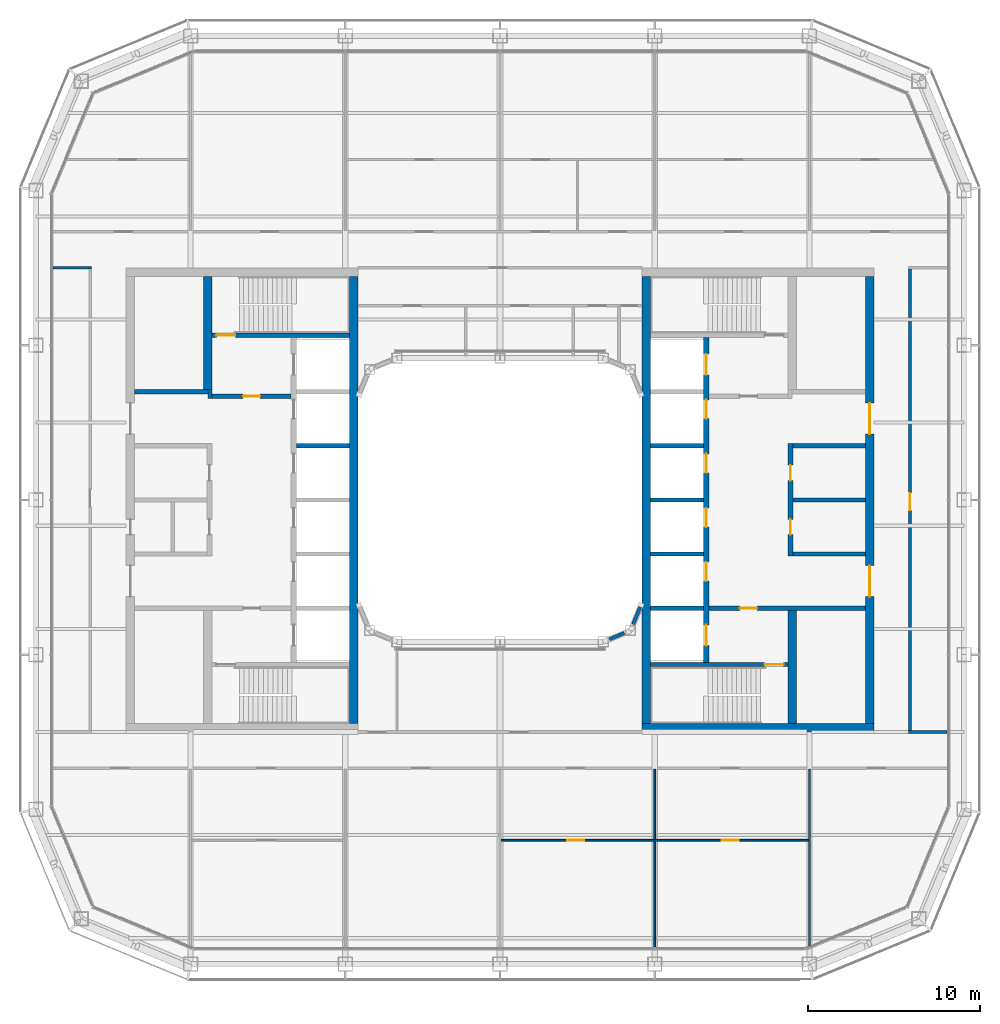
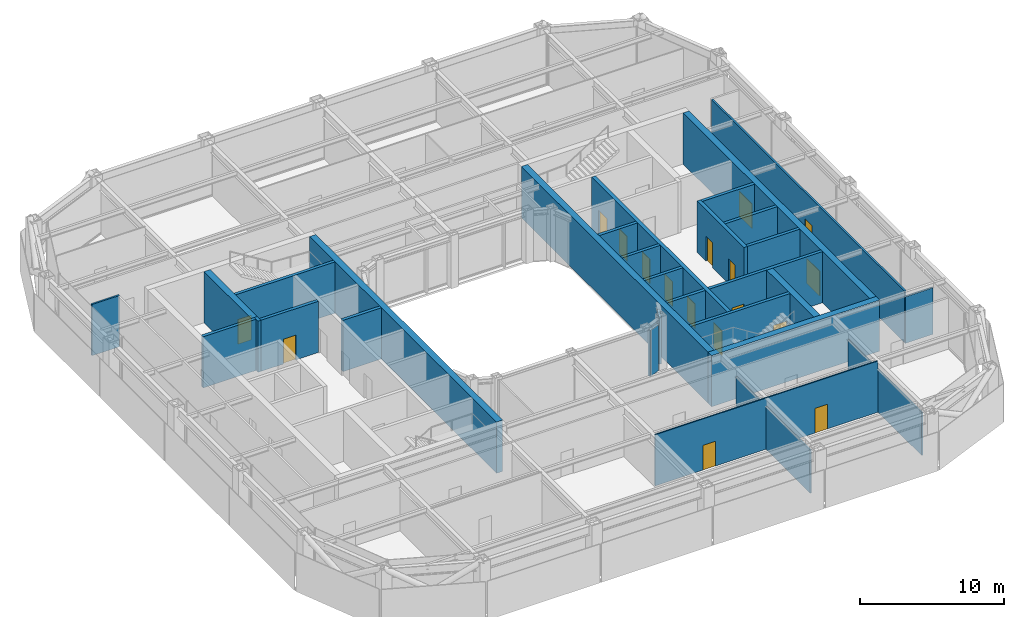
# One storey, part 13 of 19: 31 walls, 17 doors, 17 openings.
"""IFC4 building model written with IfcOpenShell, lengths in metres."""

from ifc_helpers import new_model, si_unit, direction, frame, frame_2d, origin, place, context, subcontext, project, spatial, rectangle, extrude, material, layer, layer_set, type_object, element, fill, save


model = new_model("IFC4")

# Units and contexts
model_context = context("Model", 3, precision=1e-05, world=origin(), true_north=direction((0.0, 1.0)))
body_context = subcontext(model_context, "Body", "Model", "MODEL_VIEW")
ifc_project = project(units=[si_unit("LENGTHUNIT", "METRE"), si_unit("AREAUNIT", "SQUARE_METRE"), si_unit("VOLUMEUNIT", "CUBIC_METRE"), si_unit("PLANEANGLEUNIT", "RADIAN"), si_unit("MASSUNIT", "GRAM", prefix="KILO")], contexts=[model_context])

# Site, building, storey
site_placement = place(None, origin())
site = spatial("IfcSite", under=ifc_project, at=site_placement, CompositionType="ELEMENT")
building_placement = place(site_placement, origin())
building = spatial("IfcBuilding", under=site, at=building_placement, Name="Siwar Civic Tower", CompositionType="ELEMENT")
storey_placement = place(building_placement, frame((0.0, 0.0, 192.699951171875)))
storey = spatial("IfcBuildingStorey", under=building, at=storey_placement, Name="L41", CompositionType="ELEMENT", Elevation=192.699951171875)

# Wall, opening, door
ifc_material_1 = material(Name="Concrete C60/75", Category="concrete")
ifc_layer_1 = layer(ifc_material_1, 0.25)
ifc_layer_set_1 = layer_set([ifc_layer_1], Name="Concrete C60/75")
wall_type_1 = type_object("IfcWallType", Name="CORE-WALL-RC250", PredefinedType="SHEAR", material=ifc_layer_set_1)
wall_1_placement = place(storey_placement, frame((-12.14990234375, 6.02490234375, 0.0), z_axis=(0.0, 0.0, 1.0), x_axis=(-1.0, 0.0, 0.0)))
wall_1 = element("IfcWall", 1, at=wall_1_placement, inside=storey, type_object=wall_type_1, Name="Core wall W", PredefinedType="SHEAR", context=body_context, shape_type="SweptSolid", body=[
    extrude(rectangle(XDim=4.60009765625, YDim=0.25, at=frame_2d((2.300048828125, 0.0))), origin(), (0.0, 0.0, 1.0), 4.35009765625),
])
opening_1_placement = place(wall_1_placement, frame((1.800048828125, 0.0, 0.0)))
opening_1 = element("IfcOpeningElement", 2, at=opening_1_placement, cuts=wall_1, Name="Opening L41-CW01", PredefinedType="OPENING", context=body_context, shape_type="SweptSolid", body=[
    extrude(rectangle(XDim=1.0, YDim=2.10009765625, at=frame_2d((0.5, 1.050048828125))), frame((0.0, 0.135009765625, 0.0), z_axis=(0.0, -1.0, 0.0), x_axis=(1.0, 0.0, 0.0)), (0.0, 0.0, 1.0), 0.27001953125),
])
ifc_material_2 = material(Name="Steel door leaf", Category="steel")
door_type_1 = type_object("IfcDoorType", Name="CORE-DOOR-FD30S", OperationType="SINGLE_SWING_LEFT", PredefinedType="DOOR", material=ifc_material_2)
door_1_placement = place(opening_1_placement, origin())
door_1 = element("IfcDoor", 3, at=door_1_placement, inside=storey, type_object=door_type_1, Name="Firefighting lobby door L41-CW01", OperationType="SINGLE_SWING_LEFT", OverallHeight=2.10009765625, OverallWidth=1.0, PredefinedType="DOOR", context=body_context, shape_type="SweptSolid", body=[
    extrude(rectangle(XDim=1.0, YDim=2.10009765625, at=frame_2d((0.5, 1.050048828125))), frame((0.0, 0.02490234375, 0.0), z_axis=(0.0, -1.0, 0.0), x_axis=(1.0, 0.0, 0.0)), (0.0, 0.0, 1.0), 0.050048828125),
])
fill(opening_1, door_1)

# Walls
wall_2_placement = place(storey_placement, frame((-16.875, 5.89990234375, 0.0), z_axis=(0.0, 0.0, 1.0), x_axis=(0.0, 1.0, 0.0)))
element("IfcWall", 4, at=wall_2_placement, inside=storey, type_object=wall_type_1, Name="Core wall W", PredefinedType="SHEAR", context=body_context, shape_type="SweptSolid", body=[
    extrude(rectangle(XDim=0.525146484375, YDim=0.25, at=frame_2d((0.2626953125, 0.0))), origin(), (0.0, 0.0, 1.0), 4.35009765625),
])
wall_3_placement = place(storey_placement, frame((-17.0, 6.300048828125, 0.0), z_axis=(0.0, 0.0, 1.0), x_axis=(-1.0, 0.0, 0.0)))
element("IfcWall", 5, at=wall_3_placement, inside=storey, type_object=wall_type_1, Name="Core wall W", PredefinedType="SHEAR", context=body_context, shape_type="SweptSolid", body=[
    extrude(rectangle(XDim=4.25, YDim=0.25, at=frame_2d((2.125, 0.0))), origin(), (0.0, 0.0, 1.0), 4.35009765625),
])
wall_4_placement = place(storey_placement, frame((-8.75, 3.14990234375, 0.0), z_axis=(0.0, 0.0, 1.0), x_axis=(-1.0, 0.0, 0.0)))
element("IfcWall", 6, at=wall_4_placement, inside=storey, type_object=wall_type_1, Name="Core wall W", PredefinedType="SHEAR", context=body_context, shape_type="SweptSolid", body=[
    extrude(rectangle(XDim=3.10009765625, YDim=0.25, at=frame_2d((1.550048828125, 0.0))), origin(), (0.0, 0.0, 1.0), 4.35009765625),
])

# Wall, opening, door
wall_5_placement = place(storey_placement, frame((-8.75, 9.574951171875, 0.0), z_axis=(0.0, 0.0, 1.0), x_axis=(-1.0, 0.0, 0.0)))
wall_5 = element("IfcWall", 7, at=wall_5_placement, inside=storey, type_object=wall_type_1, Name="Core wall W", PredefinedType="SHEAR", context=body_context, shape_type="SweptSolid", body=[
    extrude(rectangle(XDim=8.0, YDim=0.25, at=frame_2d((4.0, 0.0))), origin(), (0.0, 0.0, 1.0), 4.35009765625),
])
opening_2_placement = place(wall_5_placement, frame((6.64990234375, 0.0, 0.0)))
opening_2 = element("IfcOpeningElement", 8, at=opening_2_placement, cuts=wall_5, Name="Opening L41-CW03", PredefinedType="OPENING", context=body_context, shape_type="SweptSolid", body=[
    extrude(rectangle(XDim=1.10009765625, YDim=2.10009765625, at=frame_2d((0.550048828125, 1.050048828125))), frame((0.0, 0.135009765625, 0.0), z_axis=(0.0, -1.0, 0.0), x_axis=(1.0, 0.0, 0.0)), (0.0, 0.0, 1.0), 0.27001953125),
])
ifc_material_3 = material(Name="Steel door leaf", Category="steel")
door_type_2 = type_object("IfcDoorType", Name="CORE-DOOR-FD60S", OperationType="SINGLE_SWING_LEFT", PredefinedType="DOOR", material=ifc_material_3)
door_2_placement = place(opening_2_placement, origin())
door_2 = element("IfcDoor", 9, at=door_2_placement, inside=storey, type_object=door_type_2, Name="Stair door L41-CW03", OperationType="SINGLE_SWING_RIGHT", OverallHeight=2.10009765625, OverallWidth=1.10009765625, PredefinedType="DOOR", context=body_context, shape_type="SweptSolid", body=[
    extrude(rectangle(XDim=1.10009765625, YDim=2.10009765625, at=frame_2d((0.550048828125, 1.050048828125))), frame((0.0, 0.02490234375, 0.0), z_axis=(0.0, -1.0, 0.0), x_axis=(1.0, 0.0, 0.0)), (0.0, 0.0, 1.0), 0.050048828125),
])
fill(opening_2, door_2)

wall_6_placement = place(storey_placement, frame((12.14990234375, -6.300048828125, 0.0), z_axis=(0.0, 0.0, 1.0), x_axis=(1.0, 0.0, 0.0)))
wall_6 = element("IfcWall", 10, at=wall_6_placement, inside=storey, type_object=wall_type_1, Name="Core wall E", PredefinedType="SHEAR", context=body_context, shape_type="SweptSolid", body=[
    extrude(rectangle(XDim=9.10009765625, YDim=0.25, at=frame_2d((4.550048828125, 0.0))), origin(), (0.0, 0.0, 1.0), 4.35009765625),
])
opening_3_placement = place(wall_6_placement, frame((1.800048828125, 0.0, 0.0)))
opening_3 = element("IfcOpeningElement", 11, at=opening_3_placement, cuts=wall_6, Name="Opening L41-CE02", PredefinedType="OPENING", context=body_context, shape_type="SweptSolid", body=[
    extrude(rectangle(XDim=1.0, YDim=2.10009765625, at=frame_2d((0.5, 1.050048828125))), frame((0.0, 0.135009765625, 0.0), z_axis=(0.0, -1.0, 0.0), x_axis=(1.0, 0.0, 0.0)), (0.0, 0.0, 1.0), 0.27001953125),
])
door_3_placement = place(opening_3_placement, origin())
door_3 = element("IfcDoor", 12, at=door_3_placement, inside=storey, type_object=door_type_1, Name="Service lobby door L41-CE02", OperationType="SINGLE_SWING_LEFT", OverallHeight=2.10009765625, OverallWidth=1.0, PredefinedType="DOOR", context=body_context, shape_type="SweptSolid", body=[
    extrude(rectangle(XDim=1.0, YDim=2.10009765625, at=frame_2d((0.5, 1.050048828125))), frame((0.0, 0.02490234375, 0.0), z_axis=(0.0, -1.0, 0.0), x_axis=(1.0, 0.0, 0.0)), (0.0, 0.0, 1.0), 0.050048828125),
])
fill(opening_3, door_3)

# Walls
for number, where, z_axis, x_axis, name in (
    (13, (17.050048828125, 0.0, 0.0), (0.0, 0.0, 1.0), (1.0, 0.0, 0.0), "Core wall E"),
    (14, (17.050048828125, 3.14990234375, 0.0), (0.0, 0.0, 1.0), (1.0, 0.0, 0.0), "Core wall E"),
    (15, (17.050048828125, -3.14990234375, 0.0), (0.0, 0.0, 1.0), (1.0, 0.0, 0.0), "Core wall E"),
):
    element("IfcWall", number, at=place(storey_placement, frame(where, z_axis=z_axis, x_axis=x_axis)), inside=storey, type_object=wall_type_1, Name=name, PredefinedType="SHEAR", context=body_context, shape_type="SweptSolid", body=[
        extrude(rectangle(XDim=4.199951171875, YDim=0.25, at=frame_2d((2.10009765625, 0.0))), origin(), (0.0, 0.0, 1.0), 4.35009765625),
    ])
for number, where, z_axis, x_axis, name in (
    (16, (8.75, 0.0, 0.0), (0.0, 0.0, 1.0), (1.0, 0.0, 0.0), "Core wall E"),
    (17, (8.75, 3.14990234375, 0.0), (0.0, 0.0, 1.0), (1.0, 0.0, 0.0), "Core wall E"),
    (18, (8.75, -3.14990234375, 0.0), (0.0, 0.0, 1.0), (1.0, 0.0, 0.0), "Core wall E"),
    (19, (8.75, -6.300048828125, 0.0), (0.0, 0.0, 1.0), (1.0, 0.0, 0.0), "Core wall E"),
):
    element("IfcWall", number, at=place(storey_placement, frame(where, z_axis=z_axis, x_axis=x_axis)), inside=storey, type_object=wall_type_1, Name=name, PredefinedType="SHEAR", context=body_context, shape_type="SweptSolid", body=[
        extrude(rectangle(XDim=3.10009765625, YDim=0.25, at=frame_2d((1.550048828125, 0.0))), origin(), (0.0, 0.0, 1.0), 4.35009765625),
    ])

# Wall, opening, door
wall_7_placement = place(storey_placement, frame((8.75, -9.574951171875, 0.0), z_axis=(0.0, 0.0, 1.0), x_axis=(1.0, 0.0, 0.0)))
wall_7 = element("IfcWall", 20, at=wall_7_placement, inside=storey, type_object=wall_type_1, Name="Core wall E", PredefinedType="SHEAR", context=body_context, shape_type="SweptSolid", body=[
    extrude(rectangle(XDim=8.0, YDim=0.25, at=frame_2d((4.0, 0.0))), origin(), (0.0, 0.0, 1.0), 4.35009765625),
])
opening_4_placement = place(wall_7_placement, frame((6.64990234375, 0.0, 0.0)))
opening_4 = element("IfcOpeningElement", 21, at=opening_4_placement, cuts=wall_7, Name="Opening L41-CE04", PredefinedType="OPENING", context=body_context, shape_type="SweptSolid", body=[
    extrude(rectangle(XDim=1.10009765625, YDim=2.10009765625, at=frame_2d((0.550048828125, 1.050048828125))), frame((0.0, 0.135009765625, 0.0), z_axis=(0.0, -1.0, 0.0), x_axis=(1.0, 0.0, 0.0)), (0.0, 0.0, 1.0), 0.27001953125),
])
door_4_placement = place(opening_4_placement, origin())
door_4 = element("IfcDoor", 22, at=door_4_placement, inside=storey, type_object=door_type_2, Name="Stair door L41-CE04", OperationType="SINGLE_SWING_RIGHT", OverallHeight=2.10009765625, OverallWidth=1.10009765625, PredefinedType="DOOR", context=body_context, shape_type="SweptSolid", body=[
    extrude(rectangle(XDim=1.10009765625, YDim=2.10009765625, at=frame_2d((0.550048828125, 1.050048828125))), frame((0.0, 0.02490234375, 0.0), z_axis=(0.0, -1.0, 0.0), x_axis=(1.0, 0.0, 0.0)), (0.0, 0.0, 1.0), 0.050048828125),
])
fill(opening_4, door_4)

# Wall, openings, doors
ifc_material_4 = material(Name="Concrete C60/75", Category="concrete")
ifc_layer_2 = layer(ifc_material_4, 0.300048828125)
ifc_layer_set_2 = layer_set([ifc_layer_2], Name="Concrete C60/75")
wall_type_2 = type_object("IfcWallType", Name="CORE-WALL-RC300", PredefinedType="SHEAR", material=ifc_layer_set_2)
wall_8_placement = place(storey_placement, frame((12.0, -9.449951171875, 0.0), z_axis=(0.0, 0.0, 1.0), x_axis=(0.0, 1.0, 0.0)))
wall_8 = element("IfcWall", 23, at=wall_8_placement, inside=storey, type_object=wall_type_2, Name="Core wall E", PredefinedType="SHEAR", context=body_context, shape_type="SweptSolid", body=[
    extrude(rectangle(XDim=18.89990234375, YDim=0.300048828125, at=frame_2d((9.449951171875, 0.0))), origin(), (0.0, 0.0, 1.0), 4.35009765625),
])
opening_5_placement = place(wall_8_placement, frame((4.72509765625, 0.0, 0.0)))
opening_5 = element("IfcOpeningElement", 24, at=opening_5_placement, cuts=wall_8, Name="Opening L41-CE07", PredefinedType="OPENING", context=body_context, shape_type="SweptSolid", body=[
    extrude(rectangle(XDim=1.10009765625, YDim=2.10009765625, at=frame_2d((0.550048828125, 1.050048828125))), frame((0.0, 0.16015625, 0.0), z_axis=(0.0, -1.0, 0.0), x_axis=(1.0, 0.0, 0.0)), (0.0, 0.0, 1.0), 0.320068359375),
])
opening_6_placement = place(wall_8_placement, frame((7.875, 0.0, 0.0)))
opening_6 = element("IfcOpeningElement", 25, at=opening_6_placement, cuts=wall_8, Name="Opening L41-CE08", PredefinedType="OPENING", context=body_context, shape_type="SweptSolid", body=[
    extrude(rectangle(XDim=1.10009765625, YDim=2.10009765625, at=frame_2d((0.550048828125, 1.050048828125))), frame((0.0, 0.16015625, 0.0), z_axis=(0.0, -1.0, 0.0), x_axis=(1.0, 0.0, 0.0)), (0.0, 0.0, 1.0), 0.320068359375),
])
opening_7_placement = place(wall_8_placement, frame((11.02490234375, 0.0, 0.0)))
opening_7 = element("IfcOpeningElement", 26, at=opening_7_placement, cuts=wall_8, Name="Opening L41-CE09", PredefinedType="OPENING", context=body_context, shape_type="SweptSolid", body=[
    extrude(rectangle(XDim=1.10009765625, YDim=2.10009765625, at=frame_2d((0.550048828125, 1.050048828125))), frame((0.0, 0.16015625, 0.0), z_axis=(0.0, -1.0, 0.0), x_axis=(1.0, 0.0, 0.0)), (0.0, 0.0, 1.0), 0.320068359375),
])
opening_8_placement = place(wall_8_placement, frame((14.175048828125, 0.0, 0.0)))
opening_8 = element("IfcOpeningElement", 27, at=opening_8_placement, cuts=wall_8, Name="Opening L41-CE10", PredefinedType="OPENING", context=body_context, shape_type="SweptSolid", body=[
    extrude(rectangle(XDim=1.10009765625, YDim=2.10009765625, at=frame_2d((0.550048828125, 1.050048828125))), frame((0.0, 0.16015625, 0.0), z_axis=(0.0, -1.0, 0.0), x_axis=(1.0, 0.0, 0.0)), (0.0, 0.0, 1.0), 0.320068359375),
])
opening_9_placement = place(wall_8_placement, frame((16.72509765625, 0.0, 0.0)))
opening_9 = element("IfcOpeningElement", 28, at=opening_9_placement, cuts=wall_8, Name="Opening L41-CE11", PredefinedType="OPENING", context=body_context, shape_type="SweptSolid", body=[
    extrude(rectangle(XDim=1.199951171875, YDim=2.10009765625, at=frame_2d((0.60009765625, 1.050048828125))), frame((0.0, 0.16015625, 0.0), z_axis=(0.0, -1.0, 0.0), x_axis=(1.0, 0.0, 0.0)), (0.0, 0.0, 1.0), 0.320068359375),
])
opening_10_placement = place(wall_8_placement, frame((0.97509765625, 0.0, 0.0)))
opening_10 = element("IfcOpeningElement", 29, at=opening_10_placement, cuts=wall_8, Name="Opening L41-CE12", PredefinedType="OPENING", context=body_context, shape_type="SweptSolid", body=[
    extrude(rectangle(XDim=1.199951171875, YDim=2.10009765625, at=frame_2d((0.60009765625, 1.050048828125))), frame((0.0, 0.16015625, 0.0), z_axis=(0.0, -1.0, 0.0), x_axis=(1.0, 0.0, 0.0)), (0.0, 0.0, 1.0), 0.320068359375),
])
ifc_material_5 = material(Name="Steel door leaf", Category="steel")
door_type_3 = type_object("IfcDoorType", Name="CORE-DOOR-LD", OperationType="DOUBLE_DOOR_SLIDING", PredefinedType="DOOR", material=ifc_material_5)
door_5_placement = place(opening_5_placement, origin())
door_5 = element("IfcDoor", 30, at=door_5_placement, inside=storey, type_object=door_type_3, Name="Landing door HR5 L41-CE07", OperationType="DOUBLE_DOOR_SLIDING", OverallHeight=2.10009765625, OverallWidth=1.10009765625, PredefinedType="DOOR", context=body_context, shape_type="SweptSolid", body=[
    extrude(rectangle(XDim=1.10009765625, YDim=2.10009765625, at=frame_2d((0.550048828125, 1.050048828125))), frame((0.0, 0.02490234375, 0.0), z_axis=(0.0, -1.0, 0.0), x_axis=(1.0, 0.0, 0.0)), (0.0, 0.0, 1.0), 0.050048828125),
])
fill(opening_5, door_5)
door_6_placement = place(opening_6_placement, origin())
door_6 = element("IfcDoor", 31, at=door_6_placement, inside=storey, type_object=door_type_3, Name="Landing door HR6 L41-CE08", OperationType="DOUBLE_DOOR_SLIDING", OverallHeight=2.10009765625, OverallWidth=1.10009765625, PredefinedType="DOOR", context=body_context, shape_type="SweptSolid", body=[
    extrude(rectangle(XDim=1.10009765625, YDim=2.10009765625, at=frame_2d((0.550048828125, 1.050048828125))), frame((0.0, 0.02490234375, 0.0), z_axis=(0.0, -1.0, 0.0), x_axis=(1.0, 0.0, 0.0)), (0.0, 0.0, 1.0), 0.050048828125),
])
fill(opening_6, door_6)
door_7_placement = place(opening_7_placement, origin())
door_7 = element("IfcDoor", 32, at=door_7_placement, inside=storey, type_object=door_type_3, Name="Landing door HR7 L41-CE09", OperationType="DOUBLE_DOOR_SLIDING", OverallHeight=2.10009765625, OverallWidth=1.10009765625, PredefinedType="DOOR", context=body_context, shape_type="SweptSolid", body=[
    extrude(rectangle(XDim=1.10009765625, YDim=2.10009765625, at=frame_2d((0.550048828125, 1.050048828125))), frame((0.0, 0.02490234375, 0.0), z_axis=(0.0, -1.0, 0.0), x_axis=(1.0, 0.0, 0.0)), (0.0, 0.0, 1.0), 0.050048828125),
])
fill(opening_7, door_7)
door_8_placement = place(opening_8_placement, origin())
door_8 = element("IfcDoor", 33, at=door_8_placement, inside=storey, type_object=door_type_3, Name="Landing door HR8 L41-CE10", OperationType="DOUBLE_DOOR_SLIDING", OverallHeight=2.10009765625, OverallWidth=1.10009765625, PredefinedType="DOOR", context=body_context, shape_type="SweptSolid", body=[
    extrude(rectangle(XDim=1.10009765625, YDim=2.10009765625, at=frame_2d((0.550048828125, 1.050048828125))), frame((0.0, 0.02490234375, 0.0), z_axis=(0.0, -1.0, 0.0), x_axis=(1.0, 0.0, 0.0)), (0.0, 0.0, 1.0), 0.050048828125),
])
fill(opening_8, door_8)
ifc_material_6 = material(Name="Steel door leaf", Category="steel")
door_type_4 = type_object("IfcDoorType", Name="CORE-DOOR-LDW", OperationType="DOUBLE_DOOR_SLIDING", PredefinedType="DOOR", material=ifc_material_6)
door_9_placement = place(opening_9_placement, origin())
door_9 = element("IfcDoor", 34, at=door_9_placement, inside=storey, type_object=door_type_4, Name="Landing door FF2 L41-CE11", OperationType="DOUBLE_DOOR_SLIDING", OverallHeight=2.10009765625, OverallWidth=1.199951171875, PredefinedType="DOOR", context=body_context, shape_type="SweptSolid", body=[
    extrude(rectangle(XDim=1.199951171875, YDim=2.10009765625, at=frame_2d((0.60009765625, 1.050048828125))), frame((0.0, 0.02490234375, 0.0), z_axis=(0.0, -1.0, 0.0), x_axis=(1.0, 0.0, 0.0)), (0.0, 0.0, 1.0), 0.050048828125),
])
fill(opening_9, door_9)
door_10_placement = place(opening_10_placement, origin())
door_10 = element("IfcDoor", 35, at=door_10_placement, inside=storey, type_object=door_type_4, Name="Landing door SV2 L41-CE12", OperationType="DOUBLE_DOOR_SLIDING", OverallHeight=2.10009765625, OverallWidth=1.199951171875, PredefinedType="DOOR", context=body_context, shape_type="SweptSolid", body=[
    extrude(rectangle(XDim=1.199951171875, YDim=2.10009765625, at=frame_2d((0.60009765625, 1.050048828125))), frame((0.0, 0.02490234375, 0.0), z_axis=(0.0, -1.0, 0.0), x_axis=(1.0, 0.0, 0.0)), (0.0, 0.0, 1.0), 0.050048828125),
])
fill(opening_10, door_10)

wall_9_placement = place(storey_placement, frame((16.89990234375, -3.27490234375, 0.0), z_axis=(0.0, 0.0, 1.0), x_axis=(0.0, 1.0, 0.0)))
wall_9 = element("IfcWall", 36, at=wall_9_placement, inside=storey, type_object=wall_type_2, Name="Core wall E", PredefinedType="SHEAR", context=body_context, shape_type="SweptSolid", body=[
    extrude(rectangle(XDim=6.5498046875, YDim=0.300048828125, at=frame_2d((3.27490234375, 0.0))), origin(), (0.0, 0.0, 1.0), 4.35009765625),
])
opening_11_placement = place(wall_9_placement, frame((1.25, 0.0, 0.0)))
opening_11 = element("IfcOpeningElement", 37, at=opening_11_placement, cuts=wall_9, Name="Opening L41-CE13", PredefinedType="OPENING", context=body_context, shape_type="SweptSolid", body=[
    extrude(rectangle(XDim=0.89990234375, YDim=2.10009765625, at=frame_2d((0.449951171875, 1.050048828125))), frame((0.0, 0.16015625, 0.0), z_axis=(0.0, -1.0, 0.0), x_axis=(1.0, 0.0, 0.0)), (0.0, 0.0, 1.0), 0.320068359375),
])
opening_12_placement = place(wall_9_placement, frame((4.39990234375, 0.0, 0.0)))
opening_12 = element("IfcOpeningElement", 38, at=opening_12_placement, cuts=wall_9, Name="Opening L41-CE14", PredefinedType="OPENING", context=body_context, shape_type="SweptSolid", body=[
    extrude(rectangle(XDim=0.89990234375, YDim=2.10009765625, at=frame_2d((0.449951171875, 1.050048828125))), frame((0.0, 0.16015625, 0.0), z_axis=(0.0, -1.0, 0.0), x_axis=(1.0, 0.0, 0.0)), (0.0, 0.0, 1.0), 0.320068359375),
])
ifc_material_7 = material(Name="Steel door leaf", Category="steel")
door_type_5 = type_object("IfcDoorType", Name="CORE-DOOR-ROOM", OperationType="SINGLE_SWING_LEFT", PredefinedType="DOOR", material=ifc_material_7)
door_11_placement = place(opening_11_placement, origin())
door_11 = element("IfcDoor", 39, at=door_11_placement, inside=storey, type_object=door_type_5, Name="Core room door L41-CE13", OperationType="SINGLE_SWING_RIGHT", OverallHeight=2.10009765625, OverallWidth=0.89990234375, PredefinedType="DOOR", context=body_context, shape_type="SweptSolid", body=[
    extrude(rectangle(XDim=0.89990234375, YDim=2.10009765625, at=frame_2d((0.449951171875, 1.050048828125))), frame((0.0, 0.02490234375, 0.0), z_axis=(0.0, -1.0, 0.0), x_axis=(1.0, 0.0, 0.0)), (0.0, 0.0, 1.0), 0.050048828125),
])
fill(opening_11, door_11)
door_12_placement = place(opening_12_placement, origin())
door_12 = element("IfcDoor", 40, at=door_12_placement, inside=storey, type_object=door_type_5, Name="Core room door L41-CE14", OperationType="SINGLE_SWING_LEFT", OverallHeight=2.10009765625, OverallWidth=0.89990234375, PredefinedType="DOOR", context=body_context, shape_type="SweptSolid", body=[
    extrude(rectangle(XDim=0.89990234375, YDim=2.10009765625, at=frame_2d((0.449951171875, 1.050048828125))), frame((0.0, 0.02490234375, 0.0), z_axis=(0.0, -1.0, 0.0), x_axis=(1.0, 0.0, 0.0)), (0.0, 0.0, 1.0), 0.050048828125),
])
fill(opening_12, door_12)

# Wall
ifc_material_8 = material(Name="Concrete C60/75", Category="concrete")
ifc_layer_3 = layer(ifc_material_8, 0.5)
ifc_layer_set_3 = layer_set([ifc_layer_3], Name="Concrete C60/75")
wall_type_3 = type_object("IfcWallType", Name="CORE-WALL-RC500", PredefinedType="SHEAR", material=ifc_layer_set_3)
wall_10_placement = place(storey_placement, frame((-17.0, 6.425048828125, 0.0), z_axis=(0.0, 0.0, 1.0), x_axis=(0.0, 1.0, 0.0)))
element("IfcWall", 41, at=wall_10_placement, inside=storey, type_object=wall_type_3, Name="Core wall W", PredefinedType="SHEAR", context=body_context, shape_type="SweptSolid", body=[
    extrude(rectangle(XDim=6.574951171875, YDim=0.5, at=frame_2d((3.28759765625, 0.0))), origin(), (0.0, 0.0, 1.0), 4.35009765625),
])

# Wall, openings, doors
wall_11_placement = place(storey_placement, frame((21.5, -13.0, 0.0), z_axis=(0.0, 0.0, 1.0), x_axis=(0.0, 1.0, 0.0)))
wall_11 = element("IfcWall", 42, at=wall_11_placement, inside=storey, type_object=wall_type_3, Name="Core wall E", PredefinedType="SHEAR", context=body_context, shape_type="SweptSolid", body=[
    extrude(rectangle(XDim=26.0, YDim=0.5, at=frame_2d((13.0, 0.0))), origin(), (0.0, 0.0, 1.0), 4.35009765625),
])
opening_13_placement = place(wall_11_placement, frame((16.824951171875, 0.0, 0.0)))
opening_13 = element("IfcOpeningElement", 43, at=opening_13_placement, cuts=wall_11, Name="Opening L41-CE05", PredefinedType="OPENING", context=body_context, shape_type="SweptSolid", body=[
    extrude(rectangle(XDim=1.800048828125, YDim=2.10009765625, at=frame_2d((0.89990234375, 1.050048828125))), frame((0.0, 0.260009765625, 0.0), z_axis=(0.0, -1.0, 0.0), x_axis=(1.0, 0.0, 0.0)), (0.0, 0.0, 1.0), 0.52001953125),
])
opening_14_placement = place(wall_11_placement, frame((7.375, 0.0, 0.0)))
opening_14 = element("IfcOpeningElement", 44, at=opening_14_placement, cuts=wall_11, Name="Opening L41-CE06", PredefinedType="OPENING", context=body_context, shape_type="SweptSolid", body=[
    extrude(rectangle(XDim=1.800048828125, YDim=2.10009765625, at=frame_2d((0.89990234375, 1.050048828125))), frame((0.0, 0.260009765625, 0.0), z_axis=(0.0, -1.0, 0.0), x_axis=(1.0, 0.0, 0.0)), (0.0, 0.0, 1.0), 0.52001953125),
])
ifc_material_9 = material(Name="Steel door leaf", Category="steel")
door_type_6 = type_object("IfcDoorType", Name="CORE-DOOR-PORT", OperationType="DOUBLE_DOOR_DOUBLE_SWING", PredefinedType="DOOR", material=ifc_material_9)
door_13_placement = place(opening_13_placement, origin())
door_13 = element("IfcDoor", 45, at=door_13_placement, inside=storey, type_object=door_type_6, Name="Core entrance door L41-CE05", OperationType="DOUBLE_DOOR_DOUBLE_SWING", OverallHeight=2.10009765625, OverallWidth=1.800048828125, PredefinedType="DOOR", context=body_context, shape_type="SweptSolid", body=[
    extrude(rectangle(XDim=1.800048828125, YDim=2.10009765625, at=frame_2d((0.89990234375, 1.050048828125))), frame((0.0, 0.02490234375, 0.0), z_axis=(0.0, -1.0, 0.0), x_axis=(1.0, 0.0, 0.0)), (0.0, 0.0, 1.0), 0.050048828125),
])
fill(opening_13, door_13)
door_14_placement = place(opening_14_placement, origin())
door_14 = element("IfcDoor", 46, at=door_14_placement, inside=storey, type_object=door_type_6, Name="Core entrance door L41-CE06", OperationType="DOUBLE_DOOR_DOUBLE_SWING", OverallHeight=2.10009765625, OverallWidth=1.800048828125, PredefinedType="DOOR", context=body_context, shape_type="SweptSolid", body=[
    extrude(rectangle(XDim=1.800048828125, YDim=2.10009765625, at=frame_2d((0.89990234375, 1.050048828125))), frame((0.0, 0.02490234375, 0.0), z_axis=(0.0, -1.0, 0.0), x_axis=(1.0, 0.0, 0.0)), (0.0, 0.0, 1.0), 0.050048828125),
])
fill(opening_14, door_14)

# Walls
wall_12_placement = place(storey_placement, frame((17.0, -13.0, 0.0), z_axis=(0.0, 0.0, 1.0), x_axis=(0.0, 1.0, 0.0)))
element("IfcWall", 47, at=wall_12_placement, inside=storey, type_object=wall_type_3, Name="Core wall E", PredefinedType="SHEAR", context=body_context, shape_type="SweptSolid", body=[
    extrude(rectangle(XDim=6.574951171875, YDim=0.5, at=frame_2d((3.28759765625, 0.0))), origin(), (0.0, 0.0, 1.0), 4.35009765625),
])
wall_13_placement = place(storey_placement, frame((8.25, -13.25, 0.0), z_axis=(0.0, 0.0, 1.0), x_axis=(1.0, 0.0, 0.0)))
element("IfcWall", 48, at=wall_13_placement, inside=storey, type_object=wall_type_3, Name="Core wall E", PredefinedType="SHEAR", context=body_context, shape_type="SweptSolid", body=[
    extrude(rectangle(XDim=13.5, YDim=0.5, at=frame_2d((6.75, 0.0))), origin(), (0.0, 0.0, 1.0), 4.35009765625),
])
ifc_material_10 = material(Name="Concrete C60/75", Category="concrete")
ifc_layer_4 = layer(ifc_material_10, 0.5)
ifc_layer_set_4 = layer_set([ifc_layer_4], Name="Concrete C60/75")
wall_type_4 = type_object("IfcWallType", Name="CORE-WALL-RC500-EXT", PredefinedType="SHEAR", material=ifc_layer_set_4)
for number, where, z_axis, x_axis, name in (
    (49, (-8.5, -13.0, 0.0), (0.0, 0.0, 1.0), (0.0, 1.0, 0.0), "Core wall W"),
    (50, (8.5, -13.0, 0.0), (0.0, 0.0, 1.0), (0.0, 1.0, 0.0), "Core wall E"),
):
    element("IfcWall", number, at=place(storey_placement, frame(where, z_axis=z_axis, x_axis=x_axis)), inside=storey, type_object=wall_type_4, Name=name, PredefinedType="SHEAR", context=body_context, shape_type="SweptSolid", body=[
        extrude(rectangle(XDim=26.0, YDim=0.5, at=frame_2d((13.0, 0.0))), origin(), (0.0, 0.0, 1.0), 4.35009765625),
    ])
ifc_material_11 = material(Name="Gypsum board on steel studs", Category="steel")
ifc_layer_5 = layer(ifc_material_11, 0.14990234375)
ifc_layer_set_5 = layer_set([ifc_layer_5], Name="Gypsum board on steel studs")
wall_type_5 = type_object("IfcWallType", Name="CORRIDOR PARTITION 150 EI 30", PredefinedType="PARTITIONING", material=ifc_layer_set_5)
wall_14_placement = place(storey_placement, frame((23.77490234375, -13.5, 0.0), z_axis=(0.0, 0.0, 1.0), x_axis=(1.0, 0.0, 0.0)))
element("IfcWall", 51, at=wall_14_placement, inside=storey, type_object=wall_type_5, Name="L41/wall/P06", PredefinedType="PARTITIONING", context=body_context, shape_type="SweptSolid", body=[
    extrude(rectangle(XDim=2.235107421875, YDim=0.14990234375, at=frame_2d((1.11767578125, 0.0))), origin(), (0.0, 0.0, 1.0), 3.949951171875),
])
wall_15_placement = place(storey_placement, frame((-26.010009765625, 13.5, 0.0), z_axis=(0.0, 0.0, 1.0), x_axis=(1.0, 0.0, 0.0)))
element("IfcWall", 52, at=wall_15_placement, inside=storey, type_object=wall_type_5, Name="L41/wall/P09", PredefinedType="PARTITIONING", context=body_context, shape_type="SweptSolid", body=[
    extrude(rectangle(XDim=2.235107421875, YDim=0.14990234375, at=frame_2d((1.11767578125, 0.0))), origin(), (0.0, 0.0, 1.0), 4.35009765625),
])

# Wall, opening, door
wall_16_placement = place(storey_placement, frame((23.85009765625, -13.425048828125, 0.0), z_axis=(0.0, 0.0, 1.0), x_axis=(0.0, 1.0, 0.0)))
wall_16 = element("IfcWall", 53, at=wall_16_placement, inside=storey, type_object=wall_type_5, Name="L41/wall/P35", PredefinedType="PARTITIONING", context=body_context, shape_type="SweptSolid", body=[
    extrude(rectangle(XDim=26.85009765625, YDim=0.14990234375, at=frame_2d((13.425048828125, 0.0))), origin(), (0.0, 0.0, 1.0), 4.35009765625),
])
opening_15_placement = place(wall_16_placement, frame((12.824951171875, 0.0, 0.0)))
opening_15 = element("IfcOpeningElement", 54, at=opening_15_placement, cuts=wall_16, Name="Opening D1", PredefinedType="OPENING", context=body_context, shape_type="SweptSolid", body=[
    extrude(rectangle(XDim=1.0, YDim=2.10009765625, at=frame_2d((0.5, 1.050048828125))), frame((0.0, 0.0849609375, 0.0), z_axis=(0.0, -1.0, 0.0), x_axis=(1.0, 0.0, 0.0)), (0.0, 0.0, 1.0), 0.169921875),
])
ifc_material_12 = material(Name="Timber, painted", Category="wood")
door_type_7 = type_object("IfcDoorType", Name="DOOR 1000 X 2100 FD30", OperationType="SINGLE_SWING_LEFT", PredefinedType="DOOR", material=ifc_material_12)
door_15_placement = place(opening_15_placement, origin())
door_15 = element("IfcDoor", 55, at=door_15_placement, inside=storey, type_object=door_type_7, Name="L41-D23", OperationType="SINGLE_SWING_LEFT", OverallHeight=2.10009765625, OverallWidth=1.0, PredefinedType="DOOR", context=body_context, shape_type="SweptSolid", body=[
    extrude(rectangle(XDim=1.0, YDim=2.10009765625, at=frame_2d((0.5, 1.050048828125))), frame((0.0, 0.02490234375, 0.0), z_axis=(0.0, -1.0, 0.0), x_axis=(1.0, 0.0, 0.0)), (0.0, 0.0, 1.0), 0.050048828125),
])
fill(opening_15, door_15)

# Walls
ifc_material_13 = material(Name="Aluminium clad insulated panel", Category="aluminium")
ifc_layer_6 = layer(ifc_material_13, 0.199951171875)
ifc_layer_set_6 = layer_set([ifc_layer_6], Name="Aluminium clad insulated panel")
wall_type_6 = type_object("IfcWallType", Name="ENV-WALL-WELL", PredefinedType="STANDARD", material=ifc_layer_set_6)
wall_17_placement = place(storey_placement, frame((6.362060546875, -8.10009765625, 0.0), z_axis=(0.0, 0.0, 1.0), x_axis=(0.923829670615, 0.382803787458, 0.0)))
element("IfcWall", 56, at=wall_17_placement, inside=storey, type_object=wall_type_6, Name="Light well corner wall SE1", PredefinedType="STANDARD", context=body_context, shape_type="SweptSolid", body=[
    extrude(rectangle(XDim=0.938232421875, YDim=0.199951171875, at=frame_2d((0.46923828125, 0.0))), origin(), (0.0, 0.0, 1.0), 3.91796875),
])
wall_18_placement = place(storey_placement, frame((7.740966796875, -7.228759765625, 0.0), z_axis=(0.0, 0.0, 1.0), x_axis=(0.382704496366, 0.923870807235, 0.0)))
element("IfcWall", 57, at=wall_18_placement, inside=storey, type_object=wall_type_6, Name="Light well corner wall SE2", PredefinedType="STANDARD", context=body_context, shape_type="SweptSolid", body=[
    extrude(rectangle(XDim=1.080078125, YDim=0.199951171875, at=frame_2d((0.5400390625, 0.0))), origin(), (0.0, 0.0, 1.0), 3.91796875),
])

# Wall, openings, doors
ifc_material_14 = material(Name="Gypsum board on steel studs", Category="steel")
ifc_layer_7 = layer(ifc_material_14, 0.10009765625)
ifc_layer_set_7 = layer_set([ifc_layer_7], Name="Gypsum board on steel studs")
wall_type_7 = type_object("IfcWallType", Name="PARTITION 100 GYPSUM", PredefinedType="PARTITIONING", material=ifc_layer_set_7)
wall_19_placement = place(storey_placement, frame((0.050048828125, -19.800048828125, 0.0), z_axis=(0.0, 0.0, 1.0), x_axis=(1.0, 0.0, 0.0)))
wall_19 = element("IfcWall", 58, at=wall_19_placement, inside=storey, type_object=wall_type_7, Name="L41/wall/P02", PredefinedType="PARTITIONING", context=body_context, shape_type="SweptSolid", body=[
    extrude(rectangle(XDim=17.89990234375, YDim=0.10009765625, at=frame_2d((8.949951171875, 0.0))), origin(), (0.0, 0.0, 1.0), 4.35009765625),
])
opening_16_placement = place(wall_19_placement, frame((3.85009765625, 0.0, 0.0)))
opening_16 = element("IfcOpeningElement", 59, at=opening_16_placement, cuts=wall_19, Name="Opening D2", PredefinedType="OPENING", context=body_context, shape_type="SweptSolid", body=[
    extrude(rectangle(XDim=1.0, YDim=2.10009765625, at=frame_2d((0.5, 1.050048828125))), frame((0.0, 0.06005859375, 0.0), z_axis=(0.0, -1.0, 0.0), x_axis=(1.0, 0.0, 0.0)), (0.0, 0.0, 1.0), 0.1201171875),
])
opening_17_placement = place(wall_19_placement, frame((12.85009765625, 0.0, 0.0)))
opening_17 = element("IfcOpeningElement", 60, at=opening_17_placement, cuts=wall_19, Name="Opening D2", PredefinedType="OPENING", context=body_context, shape_type="SweptSolid", body=[
    extrude(rectangle(XDim=1.0, YDim=2.10009765625, at=frame_2d((0.5, 1.050048828125))), frame((0.0, 0.06005859375, 0.0), z_axis=(0.0, -1.0, 0.0), x_axis=(1.0, 0.0, 0.0)), (0.0, 0.0, 1.0), 0.1201171875),
])
ifc_material_15 = material(Name="Timber, painted", Category="wood")
door_type_8 = type_object("IfcDoorType", Name="DOOR 1000 X 2100", OperationType="SINGLE_SWING_LEFT", PredefinedType="DOOR", material=ifc_material_15)
door_16_placement = place(opening_16_placement, origin())
door_16 = element("IfcDoor", 61, at=door_16_placement, inside=storey, type_object=door_type_8, Name="L41-D13", OperationType="SINGLE_SWING_LEFT", OverallHeight=2.10009765625, OverallWidth=1.0, PredefinedType="DOOR", context=body_context, shape_type="SweptSolid", body=[
    extrude(rectangle(XDim=1.0, YDim=2.10009765625, at=frame_2d((0.5, 1.050048828125))), frame((0.0, 0.02490234375, 0.0), z_axis=(0.0, -1.0, 0.0), x_axis=(1.0, 0.0, 0.0)), (0.0, 0.0, 1.0), 0.050048828125),
])
fill(opening_16, door_16)
door_17_placement = place(opening_17_placement, origin())
door_17 = element("IfcDoor", 62, at=door_17_placement, inside=storey, type_object=door_type_8, Name="L41-D15", OperationType="SINGLE_SWING_LEFT", OverallHeight=2.10009765625, OverallWidth=1.0, PredefinedType="DOOR", context=body_context, shape_type="SweptSolid", body=[
    extrude(rectangle(XDim=1.0, YDim=2.10009765625, at=frame_2d((0.5, 1.050048828125))), frame((0.0, 0.02490234375, 0.0), z_axis=(0.0, -1.0, 0.0), x_axis=(1.0, 0.0, 0.0)), (0.0, 0.0, 1.0), 0.050048828125),
])
fill(opening_17, door_17)

# Walls
wall_20_placement = place(storey_placement, frame((9.0, -26.010009765625, 0.0), z_axis=(0.0, 0.0, 1.0), x_axis=(0.0, 1.0, 0.0)))
element("IfcWall", 63, at=wall_20_placement, inside=storey, type_object=wall_type_7, Name="L41/wall/P28", PredefinedType="PARTITIONING", context=body_context, shape_type="SweptSolid", body=[
    extrude(rectangle(XDim=6.159912109375, YDim=0.10009765625, at=frame_2d((3.080078125, 0.0))), origin(), (0.0, 0.0, 1.0), 3.650146484375),
])
wall_21_placement = place(storey_placement, frame((9.0, -19.75, 0.0), z_axis=(0.0, 0.0, 1.0), x_axis=(0.0, 1.0, 0.0)))
element("IfcWall", 64, at=wall_21_placement, inside=storey, type_object=wall_type_7, Name="L41/wall/P29", PredefinedType="PARTITIONING", context=body_context, shape_type="SweptSolid", body=[
    extrude(rectangle(XDim=4.074951171875, YDim=0.10009765625, at=frame_2d((2.03759765625, 0.0))), origin(), (0.0, 0.0, 1.0), 3.650146484375),
])
wall_22_placement = place(storey_placement, frame((18.0, -25.927978515625, 0.0), z_axis=(0.0, 0.0, 1.0), x_axis=(0.0, 1.0, 0.0)))
element("IfcWall", 65, at=wall_22_placement, inside=storey, type_object=wall_type_7, Name="L41/wall/P32", PredefinedType="PARTITIONING", context=body_context, shape_type="SweptSolid", body=[
    extrude(rectangle(XDim=10.2529296875, YDim=0.10009765625, at=frame_2d((5.12646484375, 0.0))), origin(), (0.0, 0.0, 1.0), 3.650146484375),
])

save(model, "model.ifc")
